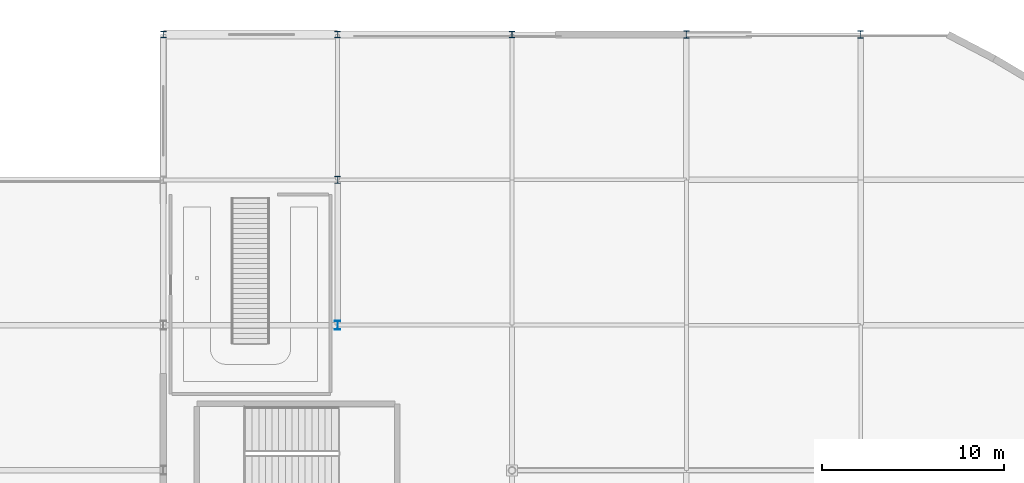
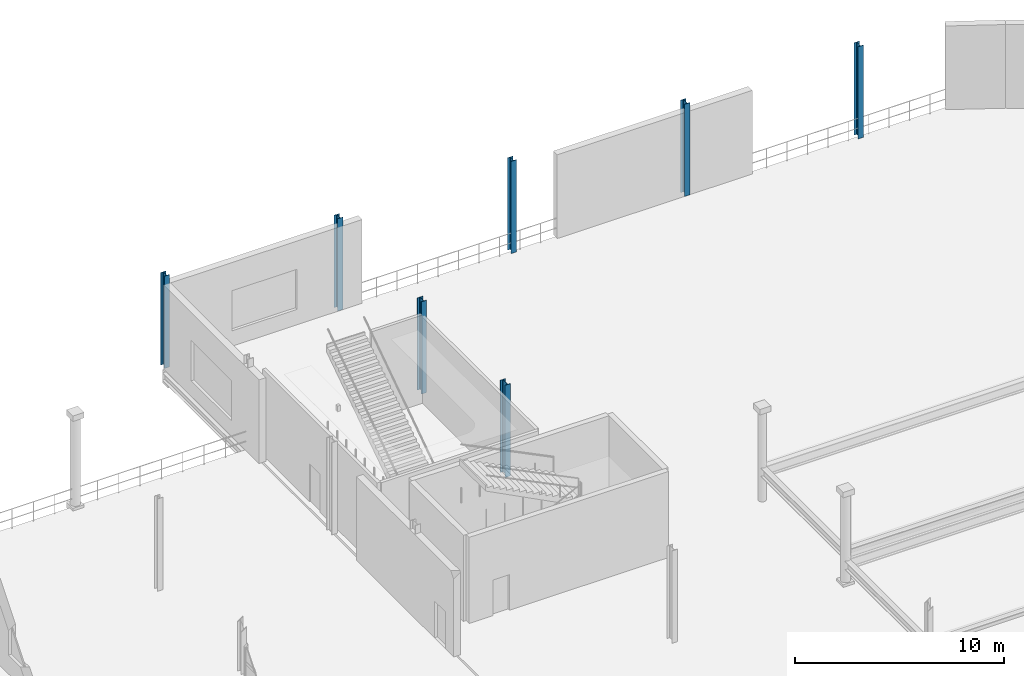
# One storey, part 25 of 129: 7 columns.
"""IFC4 building model written with IfcOpenShell, lengths in metres."""

import ifcopenshell
import ifcopenshell.guid

model = None  # the IFC model being written
_history = None  # IfcOwnerHistory: only IFC2X3 demands one
_inside = {}  # id of a spatial element -> (the spatial element, [elements in it])
_under = {}  # id of a project, library or spatial element -> (it, [spatial elements below it])
_declared = {}  # id of a project -> (the project, [libraries it declares])
_typed = {}  # id of a type object -> (the type object, [elements of that type])
_made_of = {}  # id of a material, layer set ... -> (it, [elements and type objects made of it])


def new_model(schema):
    """Start an empty IFC model of exactly this schema.

    Asked for "IFC4X3", IfcOpenShell would pick the latest addendum, in which some entities
    have other attributes; the version numbers below select the first issue.
    IFC2X3 requires an IfcOwnerHistory on every rooted entity: one is made here for all.
    """
    global model, _history
    if schema == "IFC4X3":
        model = ifcopenshell.file(schema_version=(4, 3, 0, 0))
    else:
        model = ifcopenshell.file(schema=schema)
    _inside.clear()
    _under.clear()
    _declared.clear()
    _typed.clear()
    _made_of.clear()
    _history = None
    if model.schema == "IFC2X3":
        org = make("IfcOrganization", Name="unknown")
        user = make(
            "IfcPersonAndOrganization",
            ThePerson=make("IfcPerson", FamilyName="unknown"),
            TheOrganization=org,
        )
        app = make(
            "IfcApplication",
            ApplicationDeveloper=org,
            Version="unknown",
            ApplicationFullName="unknown",
            ApplicationIdentifier="unknown",
        )
        _history = make(
            "IfcOwnerHistory",
            OwningUser=user,
            OwningApplication=app,
            ChangeAction="ADDED",
            CreationDate=0,
        )
    return model


def make(cls, **values):
    """One entity of the class cls with the attributes given. An attribute that is None is left unset."""
    return model.create_entity(
        cls, **{name: value for name, value in values.items() if value is not None}
    )


def rooted(cls, **values):
    """An entity with a GlobalId (a new one), such as an element, a storey or a relation."""
    return make(cls, GlobalId=ifcopenshell.guid.new(), OwnerHistory=_history, **values)


def si_unit(unit_type, name, prefix=None):
    """IfcSIUnit, for example si_unit("LENGTHUNIT", "METRE", prefix="MILLI")."""
    return make("IfcSIUnit", UnitType=unit_type, Prefix=prefix, Name=name)


def assignment(units):
    """IfcUnitAssignment: the units of a project."""
    return None if units is None else make("IfcUnitAssignment", Units=units)


def point(xyz):
    """IfcCartesianPoint."""
    return None if xyz is None else make("IfcCartesianPoint", Coordinates=xyz)


def direction(xyz):
    """IfcDirection."""
    return None if xyz is None else make("IfcDirection", DirectionRatios=xyz)


def frame(location, z_axis=None, x_axis=None):
    """IfcAxis2Placement3D, a coordinate frame: its origin and axes. An axis left out is left unset."""
    return make(
        "IfcAxis2Placement3D",
        Location=point(location),
        Axis=direction(z_axis),
        RefDirection=direction(x_axis),
    )


def frame_2d(location, x_axis=None):
    """IfcAxis2Placement2D, a coordinate frame in the plane: its origin and x axis."""
    return make(
        "IfcAxis2Placement2D", Location=point(location), RefDirection=direction(x_axis)
    )


def origin():
    """The frame at (0, 0, 0) with its axes left unset."""
    return frame((0.0, 0.0, 0.0))


def origin_2d():
    """The frame at (0, 0) in the plane with its x axis left unset."""
    return frame_2d((0.0, 0.0))


def place(relative_to, where):
    """IfcLocalPlacement: puts the frame where relative to a parent placement (None: the world)."""
    return make(
        "IfcLocalPlacement", PlacementRelTo=relative_to, RelativePlacement=where
    )


def context(
    kind, dimensions, precision=None, world=None, true_north=None, identifier=None
):
    """IfcGeometricRepresentationContext, for example the 3D "Model" context."""
    return make(
        "IfcGeometricRepresentationContext",
        ContextIdentifier=identifier,
        ContextType=kind,
        CoordinateSpaceDimension=dimensions,
        Precision=precision,
        WorldCoordinateSystem=world,
        TrueNorth=true_north,
    )


def subcontext(parent, identifier, kind, view, scale=None):
    """IfcGeometricRepresentationSubContext, for example "Body" below "Model"."""
    return make(
        "IfcGeometricRepresentationSubContext",
        ContextIdentifier=identifier,
        ContextType=kind,
        ParentContext=parent,
        TargetScale=scale,
        TargetView=view,
    )


def project(units=None, contexts=None):
    """IfcProject with its units and contexts."""
    return rooted(
        "IfcProject",
        Name="project",
        RepresentationContexts=contexts,
        UnitsInContext=assignment(units),
    )


def spatial(cls, under=None, at=None, **own):
    """A site, building, storey or space (cls), placed at a placement, below another one or the project."""
    s = rooted(cls, ObjectPlacement=at, **own)
    if under is not None:
        _under.setdefault(under.id(), (under, []))[1].append(s)
    return s


def profile(cls, at=None, kind="AREA", **sizes):
    """A parametric profile (cls). Its sizes go by their IFC names, for example OverallWidth=200.0."""
    return make(cls, ProfileType=kind, Position=at, **sizes)


def i_section(**sizes):
    """IfcIShapeProfileDef."""
    return profile("IfcIShapeProfileDef", **sizes)


def extrude(swept, where, along, depth):
    """IfcExtrudedAreaSolid: the profile swept, set in the frame where, extruded along a direction by depth."""
    return make(
        "IfcExtrudedAreaSolid",
        SweptArea=swept,
        Position=where,
        ExtrudedDirection=direction(along),
        Depth=depth,
    )


def shape(context_of_items, identifier, shape_type, items):
    """IfcShapeRepresentation: the items that make up one representation, for example the "Body"."""
    return make(
        "IfcShapeRepresentation",
        ContextOfItems=context_of_items,
        RepresentationIdentifier=identifier,
        RepresentationType=shape_type,
        Items=items,
    )


def material(Name=None, Category=None):
    """IfcMaterial."""
    return make("IfcMaterial", Name=Name, Category=Category)


def material_profile(
    of_material, cross_section, Name=None, Category=None, Priority=None
):
    """IfcMaterialProfile: a cross section and its material."""
    return make(
        "IfcMaterialProfile",
        Name=Name,
        Material=of_material,
        Profile=cross_section,
        Priority=Priority,
        Category=Category,
    )


def profile_set(profiles, Name=None, composite=None):
    """IfcMaterialProfileSet."""
    return make(
        "IfcMaterialProfileSet",
        Name=Name,
        MaterialProfiles=profiles,
        CompositeProfile=composite,
    )


def made_of(thing, what):
    """Note that an element or type object is made of a material, layer set ...; save() writes the relation."""
    if what is not None:
        _made_of.setdefault(what.id(), (what, []))[1].append(thing)
    return thing


def type_object(cls, material=None, **own):
    """A type object (cls), such as IfcWallType, which elements share."""
    return made_of(rooted(cls, **own), material)


def element(
    cls,
    number,
    at=None,
    inside=None,
    cuts=None,
    type_object=None,
    material=None,
    context=None,
    identifier="Body",
    shape_type=None,
    held_by="IfcProductDefinitionShape",
    body=None,
    shapes=None,
    **own,
):
    """One element of the class cls, such as IfcWall. Its Tag is "e" and its number.

    at: its placement. inside: the storey or other place that contains it. cuts: it is an
    opening in that element (IfcRelVoidsElement). A single representation is given by context,
    identifier, shape_type and body (its items); several are given by shapes. held_by: the class
    of the entity that holds the representations. save() writes the other relations.
    """
    e = rooted(cls, Tag="e%d" % number, ObjectPlacement=at, **own)
    if body is not None:
        shapes = [shape(context, identifier, shape_type, body)]
    if shapes is not None:
        e.Representation = make(held_by, Representations=shapes)
    if inside is not None:
        _inside.setdefault(inside.id(), (inside, []))[1].append(e)
    if cuts is not None:
        rooted(
            "IfcRelVoidsElement", RelatingBuildingElement=cuts, RelatedOpeningElement=e
        )
    if type_object is not None:
        _typed.setdefault(type_object.id(), (type_object, []))[1].append(e)
    return made_of(e, material)


def aggregate(whole, parts):
    """IfcRelAggregates: a whole, such as a stair, and the parts it consists of."""
    return rooted("IfcRelAggregates", RelatingObject=whole, RelatedObjects=parts)


def save(model, path):
    """Write the relations noted so far, then the file.

    IfcRelAggregates (storeys below a building ...), IfcRelContainedInSpatialStructure (elements
    in a storey), IfcRelDefinesByType, IfcRelAssociatesMaterial and IfcRelDeclares: one each for
    every whole, place, type object, material and project.
    """
    for whole, parts in _under.values():
        aggregate(whole, parts)
    for where, things in _inside.values():
        rooted(
            "IfcRelContainedInSpatialStructure",
            RelatedElements=things,
            RelatingStructure=where,
        )
    for kind, things in _typed.values():
        rooted("IfcRelDefinesByType", RelatedObjects=things, RelatingType=kind)
    for what, things in _made_of.values():
        rooted("IfcRelAssociatesMaterial", RelatedObjects=things, RelatingMaterial=what)
    for by, libraries in _declared.values():
        rooted("IfcRelDeclares", RelatingContext=by, RelatedDefinitions=libraries)
    model.write(path)


model = new_model("IFC4")

# Units and contexts
model_context = context("Model", 3, precision=1e-05, world=origin(), true_north=direction((0.0, 1.0)))
body_context = subcontext(model_context, "Body", "Model", "MODEL_VIEW")
ifc_project = project(units=[si_unit("LENGTHUNIT", "METRE"), si_unit("AREAUNIT", "SQUARE_METRE"), si_unit("VOLUMEUNIT", "CUBIC_METRE"), si_unit("PLANEANGLEUNIT", "RADIAN"), si_unit("MASSUNIT", "GRAM", prefix="KILO")], contexts=[model_context])

# Site, building, storey
site_placement = place(None, origin())
site = spatial("IfcSite", under=ifc_project, at=site_placement, CompositionType="ELEMENT")
building_placement = place(site_placement, origin())
building = spatial("IfcBuilding", under=site, at=building_placement, Name="Danafjord Basin Convention Centre", CompositionType="ELEMENT")
storey_placement = place(building_placement, frame((0.0, 0.0, 6.0)))
storey = spatial("IfcBuildingStorey", under=building, at=storey_placement, Name="L01", CompositionType="ELEMENT", Elevation=6.0)

# Columns
ifc_material = material(Name="Steel S355", Category="steel")
ifc_material_profile_1 = material_profile(ifc_material, i_section(OverallWidth=0.300048828125, OverallDepth=0.360107421875, WebThickness=0.012451171875, FlangeThickness=0.0224609375, FilletRadius=0.027099609375, at=origin_2d()), Name="HEB 360")
ifc_profile_set_1 = profile_set([ifc_material_profile_1], Name="Steel S355")
column_type_1 = type_object("IfcColumnType", Name="COL-C-HEB360", PredefinedType="COLUMN", material=ifc_profile_set_1)
for number, where, z_axis, x_axis, name in (
    (1, (134.39990234375, 144.0, 0.0), (0.0, 0.0, 1.0), (1.0, 0.0, 0.0), "L01 column C-HEB360 at (134.4, 144.0)"),
    (2, (144.0, 144.0, 0.0), (0.0, 0.0, 1.0), (1.0, 0.0, 0.0), "L01 column C-HEB360 at (144.0, 144.0)"),
    (3, (153.60009765625, 144.0, 0.0), (0.0, 0.0, 1.0), (1.0, 0.0, 0.0), "L01 column C-HEB360 at (153.6, 144.0)"),
):
    element("IfcColumn", number, at=place(storey_placement, frame(where, z_axis=z_axis, x_axis=x_axis)), inside=storey, type_object=column_type_1, Name=name, PredefinedType="COLUMN", context=body_context, shape_type="SweptSolid", body=[
        extrude(i_section(OverallWidth=0.300048828125, OverallDepth=0.360107421875, WebThickness=0.012451171875, FlangeThickness=0.0224609375, FilletRadius=0.027099609375, at=origin_2d()), origin(), (0.0, 0.0, 1.0), 5.39990234375),
    ])
ifc_material_profile_2 = material_profile(ifc_material, i_section(OverallWidth=0.300048828125, OverallDepth=0.39990234375, WebThickness=0.013427734375, FlangeThickness=0.02392578125, FilletRadius=0.027099609375, at=origin_2d()), Name="HEB 400")
ifc_profile_set_2 = profile_set([ifc_material_profile_2], Name="Steel S355")
column_type_2 = type_object("IfcColumnType", Name="COL-C-HEB400", PredefinedType="COLUMN", material=ifc_profile_set_2)
for number, where, z_axis, x_axis, name in (
    (4, (144.0, 136.0, 0.0), (0.0, 0.0, 1.0), (1.0, 0.0, 0.0), "L01 column C-HEB400 at (144.0, 136.0)"),
    (5, (163.199951171875, 144.0, 0.0), (0.0, 0.0, 1.0), (1.0, 0.0, 0.0), "L01 column C-HEB400 at (163.2, 144.0)"),
    (6, (172.800048828125, 144.0, 0.0), (0.0, 0.0, 1.0), (1.0, 0.0, 0.0), "L01 column C-HEB400 at (172.8, 144.0)"),
):
    element("IfcColumn", number, at=place(storey_placement, frame(where, z_axis=z_axis, x_axis=x_axis)), inside=storey, type_object=column_type_2, Name=name, PredefinedType="COLUMN", context=body_context, shape_type="SweptSolid", body=[
        extrude(i_section(OverallWidth=0.300048828125, OverallDepth=0.39990234375, WebThickness=0.013427734375, FlangeThickness=0.02392578125, FilletRadius=0.027099609375, at=origin_2d()), origin(), (0.0, 0.0, 1.0), 5.39990234375),
    ])
ifc_material_profile_3 = material_profile(ifc_material, i_section(OverallWidth=0.300048828125, OverallDepth=0.5, WebThickness=0.014404296875, FlangeThickness=0.028076171875, FilletRadius=0.027099609375, at=origin_2d()), Name="HEB 500")
ifc_profile_set_3 = profile_set([ifc_material_profile_3], Name="Steel S355")
column_type_3 = type_object("IfcColumnType", Name="COL-C-HEB500", PredefinedType="COLUMN", material=ifc_profile_set_3)
column_placement = place(storey_placement, frame((144.0, 128.0, 0.0), z_axis=(0.0, 0.0, 1.0), x_axis=(1.0, 0.0, 0.0)))
element("IfcColumn", 7, at=column_placement, inside=storey, type_object=column_type_3, Name="L01 column C-HEB500 at (144.0, 128.0)", PredefinedType="COLUMN", context=body_context, shape_type="SweptSolid", body=[
    extrude(i_section(OverallWidth=0.300048828125, OverallDepth=0.5, WebThickness=0.014404296875, FlangeThickness=0.028076171875, FilletRadius=0.027099609375, at=origin_2d()), origin(), (0.0, 0.0, 1.0), 5.39990234375),
])

save(model, "model.ifc")
